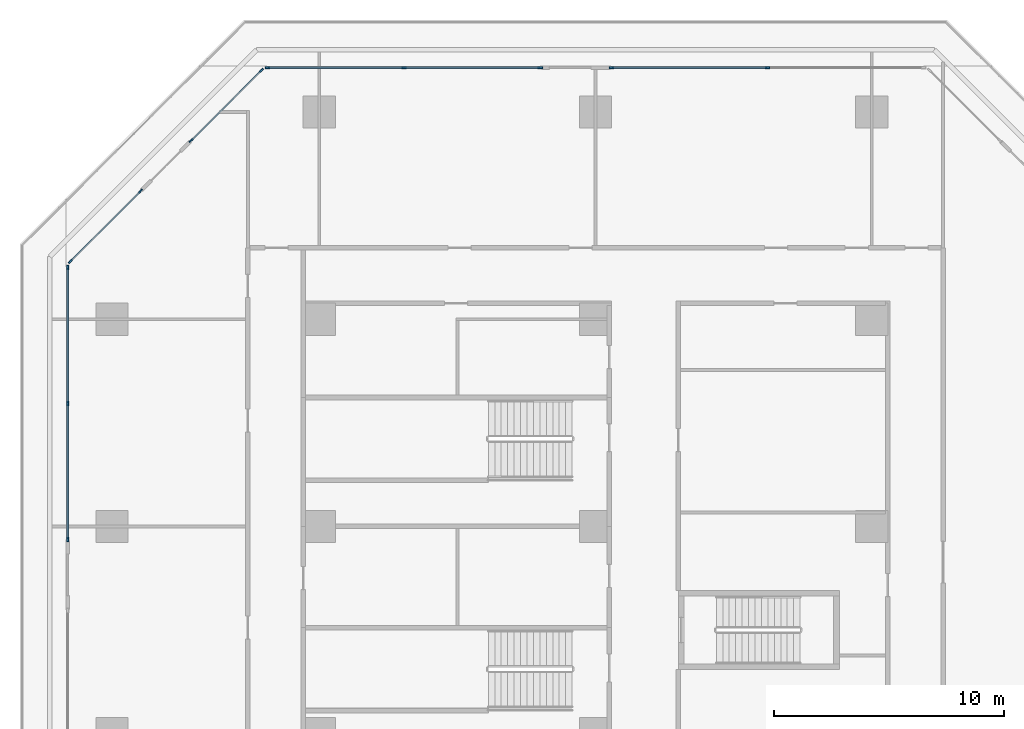
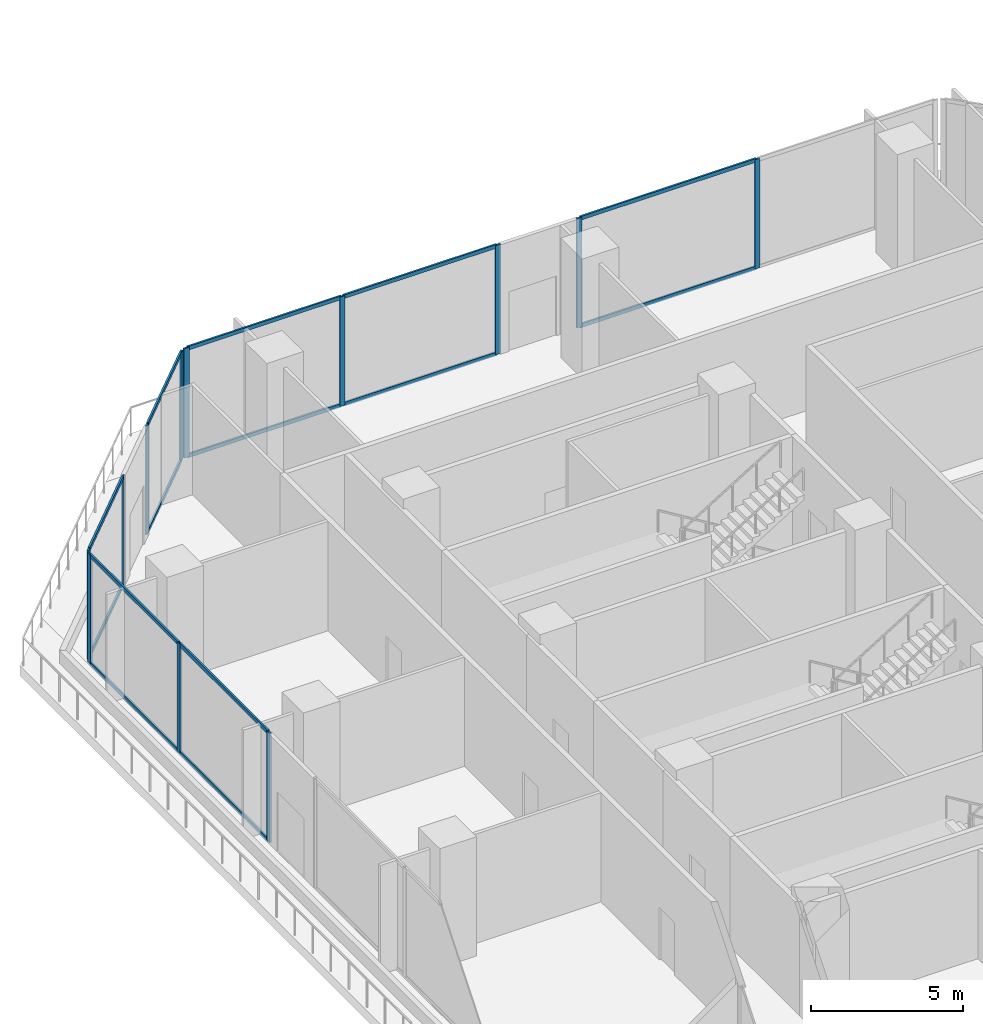
# One storey, part 9 of 31: 26 members, 5 elements without a shape of their own.
"""IFC4 building model written with IfcOpenShell, lengths in metres."""

from ifc_helpers import new_model, si_unit, direction, frame, origin, origin_2d, place, context, subcontext, project, spatial, rectangle, extrude, material, layer, layer_set, material_profile, profile_set, type_object, element, aggregate, save


model = new_model("IFC4")

# Units and contexts
model_context = context("Model", 3, precision=1e-05, world=origin(), true_north=direction((0.0, 1.0)))
body_context = subcontext(model_context, "Body", "Model", "MODEL_VIEW")
ifc_project = project(units=[si_unit("LENGTHUNIT", "METRE"), si_unit("AREAUNIT", "SQUARE_METRE"), si_unit("VOLUMEUNIT", "CUBIC_METRE"), si_unit("PLANEANGLEUNIT", "RADIAN"), si_unit("MASSUNIT", "GRAM", prefix="KILO")], contexts=[model_context])

# Site, building, storey
site_placement = place(None, origin())
site = spatial("IfcSite", under=ifc_project, at=site_placement, CompositionType="ELEMENT")
building_placement = place(site_placement, origin())
building = spatial("IfcBuilding", under=site, at=building_placement, Name="Chenar Terraces", CompositionType="ELEMENT")
storey_placement = place(building_placement, frame((0.0, 0.0, 12.0)))
storey = spatial("IfcBuildingStorey", under=building, at=storey_placement, Name="L02", CompositionType="ELEMENT", Elevation=12.0)

# Curtain wall, members
ifc_material_1 = material(Name="Aluminium framed glazing", Category="aluminium")
ifc_layer = layer(ifc_material_1, 0.14990234375)
ifc_layer_set = layer_set([ifc_layer], Name="Aluminium framed glazing")
curtain_wall_type = type_object("IfcCurtainWallType", Name="School curtain wall", PredefinedType="NOTDEFINED", material=ifc_layer_set)
placement = place(storey_placement, origin())
curtain_wall_1 = element("IfcCurtainWall", 1, at=placement, inside=storey, type_object=curtain_wall_type, Name="School curtain wall", PredefinedType="NOTDEFINED")
ifc_material_2 = material(Name="Aluminium", Category="aluminium")
ifc_material_profile_1 = material_profile(ifc_material_2, rectangle(XDim=0.070068359375, YDim=0.199951171875, at=origin_2d()), Name="School glazing mullion 70 x 200")
ifc_profile_set_1 = profile_set([ifc_material_profile_1], Name="Aluminium")
member_type_1 = type_object("IfcMemberType", Name="School glazing mullion 70 x 200", PredefinedType="MULLION", material=ifc_profile_set_1)
member_1_placement = place(storey_placement, frame((19.4736328125, 73.925048828125, 0.0), z_axis=(0.0, 0.0, 1.0), x_axis=(0.0, -1.0, 0.0)))
member_1 = element("IfcMember", 2, at=member_1_placement, type_object=member_type_1, Name="CW2-03c0 mullion 2", PredefinedType="MULLION", context=body_context, shape_type="SweptSolid", body=[
    extrude(rectangle(XDim=0.070068359375, YDim=0.199951171875, at=origin_2d()), origin(), (0.0, 0.0, 1.0), 4.39990234375),
])
member_2_placement = place(storey_placement, frame((12.697509765625, 73.925048828125, 0.0), z_axis=(0.0, 0.0, 1.0), x_axis=(0.0, -1.0, 0.0)))
member_2 = element("IfcMember", 3, at=member_2_placement, type_object=member_type_1, Name="CW2-03c0 mullion 3", PredefinedType="MULLION", context=body_context, shape_type="SweptSolid", body=[
    extrude(rectangle(XDim=0.070068359375, YDim=0.199951171875, at=origin_2d()), origin(), (0.0, 0.0, 1.0), 4.39990234375),
])

curtain_wall_2 = element("IfcCurtainWall", 4, at=placement, inside=storey, type_object=curtain_wall_type, Name="School curtain wall", PredefinedType="NOTDEFINED")
member_3_placement = place(storey_placement, frame((9.6025390625, 73.925048828125, 0.0), z_axis=(0.0, 0.0, 1.0), x_axis=(0.0, -1.0, 0.0)))
member_3 = element("IfcMember", 5, at=member_3_placement, type_object=member_type_1, Name="CW2-03c1 mullion 1", PredefinedType="MULLION", context=body_context, shape_type="SweptSolid", body=[
    extrude(rectangle(XDim=0.070068359375, YDim=0.199951171875, at=origin_2d()), origin(), (0.0, 0.0, 1.0), 4.39990234375),
])
member_4_placement = place(storey_placement, frame((3.67626953125, 73.925048828125, 0.0), z_axis=(0.0, 0.0, 1.0), x_axis=(0.0, -1.0, 0.0)))
member_4 = element("IfcMember", 6, at=member_4_placement, type_object=member_type_1, Name="CW2-03c1 mullion 2", PredefinedType="MULLION", context=body_context, shape_type="SweptSolid", body=[
    extrude(rectangle(XDim=0.070068359375, YDim=0.199951171875, at=origin_2d()), origin(), (0.0, 0.0, 1.0), 4.39990234375),
])
member_5_placement = place(storey_placement, frame((-2.25, 73.925048828125, 0.0), z_axis=(0.0, 0.0, 1.0), x_axis=(0.0, -1.0, 0.0)))
member_5 = element("IfcMember", 7, at=member_5_placement, type_object=member_type_1, Name="CW2-03c1 mullion 3", PredefinedType="MULLION", context=body_context, shape_type="SweptSolid", body=[
    extrude(rectangle(XDim=0.070068359375, YDim=0.199951171875, at=origin_2d()), origin(), (0.0, 0.0, 1.0), 4.39990234375),
])

curtain_wall_3 = element("IfcCurtainWall", 8, at=placement, inside=storey, type_object=curtain_wall_type, Name="School curtain wall", PredefinedType="NOTDEFINED")
member_6_placement = place(storey_placement, frame((-2.5126953125, 73.816162109375, 0.0), z_axis=(0.0, 0.0, 1.0), x_axis=(0.707106781187, -0.707106781187, 0.0)))
member_6 = element("IfcMember", 9, at=member_6_placement, type_object=member_type_1, Name="CW2-04c0 mullion 1", PredefinedType="MULLION", context=body_context, shape_type="SweptSolid", body=[
    extrude(rectangle(XDim=0.070068359375, YDim=0.199951171875, at=origin_2d()), origin(), (0.0, 0.0, 1.0), 4.39990234375),
])
member_7_placement = place(storey_placement, frame((-5.5703125, 70.7587890625, 0.0), z_axis=(0.0, 0.0, 1.0), x_axis=(0.707106781187, -0.707106781187, 0.0)))
member_7 = element("IfcMember", 10, at=member_7_placement, type_object=member_type_1, Name="CW2-04c0 mullion 2", PredefinedType="MULLION", context=body_context, shape_type="SweptSolid", body=[
    extrude(rectangle(XDim=0.070068359375, YDim=0.199951171875, at=origin_2d()), origin(), (0.0, 0.0, 1.0), 4.39990234375),
])

curtain_wall_4 = element("IfcCurtainWall", 11, at=placement, inside=storey, type_object=curtain_wall_type, Name="School curtain wall", PredefinedType="NOTDEFINED")
member_8_placement = place(storey_placement, frame((-7.7587890625, 68.5703125, 0.0), z_axis=(0.0, 0.0, 1.0), x_axis=(0.707106781187, -0.707106781187, 0.0)))
member_8 = element("IfcMember", 12, at=member_8_placement, type_object=member_type_1, Name="CW2-04c1 mullion 1", PredefinedType="MULLION", context=body_context, shape_type="SweptSolid", body=[
    extrude(rectangle(XDim=0.070068359375, YDim=0.199951171875, at=origin_2d()), origin(), (0.0, 0.0, 1.0), 4.39990234375),
])
member_9_placement = place(storey_placement, frame((-10.816162109375, 65.5126953125, 0.0), z_axis=(0.0, 0.0, 1.0), x_axis=(0.707106781187, -0.707106781187, 0.0)))
member_9 = element("IfcMember", 13, at=member_9_placement, type_object=member_type_1, Name="CW2-04c1 mullion 2", PredefinedType="MULLION", context=body_context, shape_type="SweptSolid", body=[
    extrude(rectangle(XDim=0.070068359375, YDim=0.199951171875, at=origin_2d()), origin(), (0.0, 0.0, 1.0), 4.39990234375),
])

curtain_wall_5 = element("IfcCurtainWall", 14, at=placement, inside=storey, type_object=curtain_wall_type, Name="School curtain wall", PredefinedType="NOTDEFINED")
member_10_placement = place(storey_placement, frame((-10.925048828125, 65.25, 0.0), z_axis=(0.0, 0.0, 1.0), x_axis=(1.0, 0.0, 0.0)))
member_10 = element("IfcMember", 15, at=member_10_placement, type_object=member_type_1, Name="CW2-05c0 mullion 1", PredefinedType="MULLION", context=body_context, shape_type="SweptSolid", body=[
    extrude(rectangle(XDim=0.070068359375, YDim=0.199951171875, at=origin_2d()), origin(), (0.0, 0.0, 1.0), 4.39990234375),
])
member_11_placement = place(storey_placement, frame((-10.925048828125, 59.344970703125, 0.0), z_axis=(0.0, 0.0, 1.0), x_axis=(1.0, 0.0, 0.0)))
member_11 = element("IfcMember", 16, at=member_11_placement, type_object=member_type_1, Name="CW2-05c0 mullion 2", PredefinedType="MULLION", context=body_context, shape_type="SweptSolid", body=[
    extrude(rectangle(XDim=0.070068359375, YDim=0.199951171875, at=origin_2d()), origin(), (0.0, 0.0, 1.0), 4.39990234375),
])
member_12_placement = place(storey_placement, frame((-10.925048828125, 53.43994140625, 0.0), z_axis=(0.0, 0.0, 1.0), x_axis=(1.0, 0.0, 0.0)))
member_12 = element("IfcMember", 17, at=member_12_placement, type_object=member_type_1, Name="CW2-05c0 mullion 3", PredefinedType="MULLION", context=body_context, shape_type="SweptSolid", body=[
    extrude(rectangle(XDim=0.070068359375, YDim=0.199951171875, at=origin_2d()), origin(), (0.0, 0.0, 1.0), 4.39990234375),
])

# Member
ifc_material_3 = material(Name="Aluminium", Category="aluminium")
ifc_material_profile_2 = material_profile(ifc_material_3, rectangle(XDim=0.070068359375, YDim=0.14990234375, at=origin_2d()), Name="School glazing transom 70 x 150")
ifc_profile_set_2 = profile_set([ifc_material_profile_2], Name="Aluminium")
member_type_2 = type_object("IfcMemberType", Name="School glazing transom 70 x 150", PredefinedType="USERDEFINED", material=ifc_profile_set_2)
member_13_placement = place(storey_placement, frame((19.438720703125, 73.925048828125, 0.034912109375), z_axis=(-1.0, 0.0, 0.0), x_axis=(0.0, -1.0, 0.0)))
member_13 = element("IfcMember", 18, at=member_13_placement, type_object=member_type_2, Name="CW2-03c0 transom 2.1", ObjectType="TRANSOM", PredefinedType="USERDEFINED", context=body_context, shape_type="SweptSolid", body=[
    extrude(rectangle(XDim=0.070068359375, YDim=0.14990234375, at=origin_2d()), origin(), (0.0, 0.0, 1.0), 6.706298828125),
])

member_14_placement = place(storey_placement, frame((19.438720703125, 73.925048828125, 4.364990234375), z_axis=(-1.0, 0.0, 0.0), x_axis=(0.0, -1.0, 0.0)))
member_14 = element("IfcMember", 19, at=member_14_placement, type_object=member_type_2, Name="CW2-03c0 transom 2.2", ObjectType="TRANSOM", PredefinedType="USERDEFINED", context=body_context, shape_type="SweptSolid", body=[
    extrude(rectangle(XDim=0.070068359375, YDim=0.14990234375, at=origin_2d()), origin(), (0.0, 0.0, 1.0), 6.706298828125),
])

aggregate(curtain_wall_1, [member_1, member_2, member_13, member_14])

member_15_placement = place(storey_placement, frame((9.567626953125, 73.925048828125, 0.034912109375), z_axis=(-1.0, 0.0, 0.0), x_axis=(0.0, -1.0, 0.0)))
member_15 = element("IfcMember", 20, at=member_15_placement, type_object=member_type_2, Name="CW2-03c1 transom 1.1", ObjectType="TRANSOM", PredefinedType="USERDEFINED", context=body_context, shape_type="SweptSolid", body=[
    extrude(rectangle(XDim=0.070068359375, YDim=0.14990234375, at=origin_2d()), origin(), (0.0, 0.0, 1.0), 5.8564453125),
])

member_16_placement = place(storey_placement, frame((9.567626953125, 73.925048828125, 4.364990234375), z_axis=(-1.0, 0.0, 0.0), x_axis=(0.0, -1.0, 0.0)))
member_16 = element("IfcMember", 21, at=member_16_placement, type_object=member_type_2, Name="CW2-03c1 transom 1.2", ObjectType="TRANSOM", PredefinedType="USERDEFINED", context=body_context, shape_type="SweptSolid", body=[
    extrude(rectangle(XDim=0.070068359375, YDim=0.14990234375, at=origin_2d()), origin(), (0.0, 0.0, 1.0), 5.8564453125),
])

member_17_placement = place(storey_placement, frame((3.641357421875, 73.925048828125, 0.034912109375), z_axis=(-1.0, 0.0, 0.0), x_axis=(0.0, -1.0, 0.0)))
member_17 = element("IfcMember", 22, at=member_17_placement, type_object=member_type_2, Name="CW2-03c1 transom 2.1", ObjectType="TRANSOM", PredefinedType="USERDEFINED", context=body_context, shape_type="SweptSolid", body=[
    extrude(rectangle(XDim=0.070068359375, YDim=0.14990234375, at=origin_2d()), origin(), (0.0, 0.0, 1.0), 5.8564453125),
])

member_18_placement = place(storey_placement, frame((3.641357421875, 73.925048828125, 4.364990234375), z_axis=(-1.0, 0.0, 0.0), x_axis=(0.0, -1.0, 0.0)))
member_18 = element("IfcMember", 23, at=member_18_placement, type_object=member_type_2, Name="CW2-03c1 transom 2.2", ObjectType="TRANSOM", PredefinedType="USERDEFINED", context=body_context, shape_type="SweptSolid", body=[
    extrude(rectangle(XDim=0.070068359375, YDim=0.14990234375, at=origin_2d()), origin(), (0.0, 0.0, 1.0), 5.8564453125),
])

aggregate(curtain_wall_2, [member_3, member_4, member_5, member_15, member_16, member_17, member_18])

member_19_placement = place(storey_placement, frame((-2.53759765625, 73.79150390625, 0.034912109375), z_axis=(-0.707078084253, -0.707135476955, 0.0), x_axis=(0.707135476955, -0.707078084253, 0.0)))
member_19 = element("IfcMember", 24, at=member_19_placement, type_object=member_type_2, Name="CW2-04c0 transom 1.1", ObjectType="TRANSOM", PredefinedType="USERDEFINED", context=body_context, shape_type="SweptSolid", body=[
    extrude(rectangle(XDim=0.070068359375, YDim=0.14990234375, at=origin_2d()), origin(), (0.0, 0.0, 1.0), 4.25390625),
])

member_20_placement = place(storey_placement, frame((-2.53759765625, 73.79150390625, 4.364990234375), z_axis=(-0.707078084253, -0.707135476955, 0.0), x_axis=(0.707135476955, -0.707078084253, 0.0)))
member_20 = element("IfcMember", 25, at=member_20_placement, type_object=member_type_2, Name="CW2-04c0 transom 1.2", ObjectType="TRANSOM", PredefinedType="USERDEFINED", context=body_context, shape_type="SweptSolid", body=[
    extrude(rectangle(XDim=0.070068359375, YDim=0.14990234375, at=origin_2d()), origin(), (0.0, 0.0, 1.0), 4.25390625),
])

aggregate(curtain_wall_3, [member_6, member_7, member_19, member_20])

member_21_placement = place(storey_placement, frame((-7.783447265625, 68.54541015625, 0.034912109375), z_axis=(-0.707135476955, -0.707078084253, 0.0), x_axis=(0.707078084253, -0.707135476955, 0.0)))
member_21 = element("IfcMember", 26, at=member_21_placement, type_object=member_type_2, Name="CW2-04c1 transom 1.1", ObjectType="TRANSOM", PredefinedType="USERDEFINED", context=body_context, shape_type="SweptSolid", body=[
    extrude(rectangle(XDim=0.070068359375, YDim=0.14990234375, at=origin_2d()), origin(), (0.0, 0.0, 1.0), 4.25390625),
])

member_22_placement = place(storey_placement, frame((-7.783447265625, 68.54541015625, 4.364990234375), z_axis=(-0.707135476955, -0.707078084253, 0.0), x_axis=(0.707078084253, -0.707135476955, 0.0)))
member_22 = element("IfcMember", 27, at=member_22_placement, type_object=member_type_2, Name="CW2-04c1 transom 1.2", ObjectType="TRANSOM", PredefinedType="USERDEFINED", context=body_context, shape_type="SweptSolid", body=[
    extrude(rectangle(XDim=0.070068359375, YDim=0.14990234375, at=origin_2d()), origin(), (0.0, 0.0, 1.0), 4.25390625),
])

aggregate(curtain_wall_4, [member_8, member_9, member_21, member_22])

member_23_placement = place(storey_placement, frame((-10.925048828125, 65.215087890625, 0.034912109375), z_axis=(0.0, -1.0, 0.0), x_axis=(1.0, 0.0, 0.0)))
member_23 = element("IfcMember", 28, at=member_23_placement, type_object=member_type_2, Name="CW2-05c0 transom 1.1", ObjectType="TRANSOM", PredefinedType="USERDEFINED", context=body_context, shape_type="SweptSolid", body=[
    extrude(rectangle(XDim=0.070068359375, YDim=0.14990234375, at=origin_2d()), origin(), (0.0, 0.0, 1.0), 5.835205078125),
])

member_24_placement = place(storey_placement, frame((-10.925048828125, 65.215087890625, 4.364990234375), z_axis=(0.0, -1.0, 0.0), x_axis=(1.0, 0.0, 0.0)))
member_24 = element("IfcMember", 29, at=member_24_placement, type_object=member_type_2, Name="CW2-05c0 transom 1.2", ObjectType="TRANSOM", PredefinedType="USERDEFINED", context=body_context, shape_type="SweptSolid", body=[
    extrude(rectangle(XDim=0.070068359375, YDim=0.14990234375, at=origin_2d()), origin(), (0.0, 0.0, 1.0), 5.835205078125),
])

member_25_placement = place(storey_placement, frame((-10.925048828125, 59.31005859375, 0.034912109375), z_axis=(0.0, -1.0, 0.0), x_axis=(1.0, 0.0, 0.0)))
member_25 = element("IfcMember", 30, at=member_25_placement, type_object=member_type_2, Name="CW2-05c0 transom 2.1", ObjectType="TRANSOM", PredefinedType="USERDEFINED", context=body_context, shape_type="SweptSolid", body=[
    extrude(rectangle(XDim=0.070068359375, YDim=0.14990234375, at=origin_2d()), origin(), (0.0, 0.0, 1.0), 5.8349609375),
])

member_26_placement = place(storey_placement, frame((-10.925048828125, 59.31005859375, 4.364990234375), z_axis=(0.0, -1.0, 0.0), x_axis=(1.0, 0.0, 0.0)))
member_26 = element("IfcMember", 31, at=member_26_placement, type_object=member_type_2, Name="CW2-05c0 transom 2.2", ObjectType="TRANSOM", PredefinedType="USERDEFINED", context=body_context, shape_type="SweptSolid", body=[
    extrude(rectangle(XDim=0.070068359375, YDim=0.14990234375, at=origin_2d()), origin(), (0.0, 0.0, 1.0), 5.8349609375),
])

aggregate(curtain_wall_5, [member_10, member_11, member_12, member_23, member_24, member_25, member_26])

save(model, "model.ifc")
